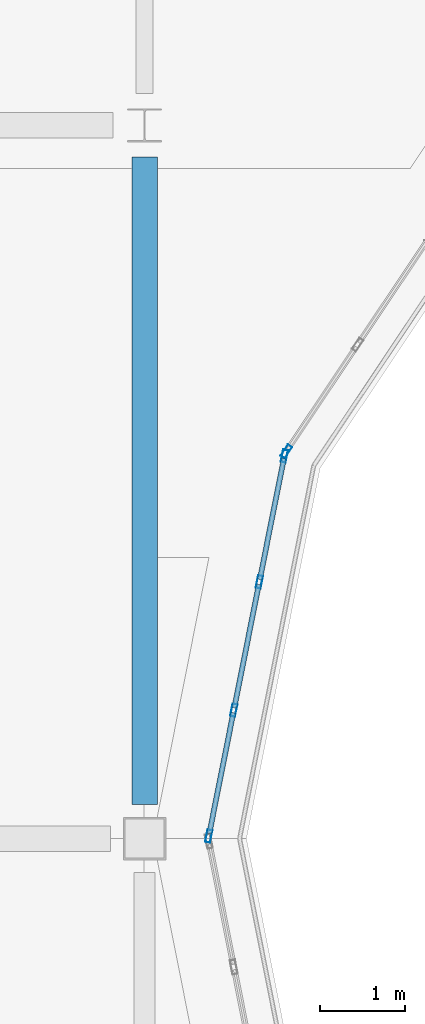
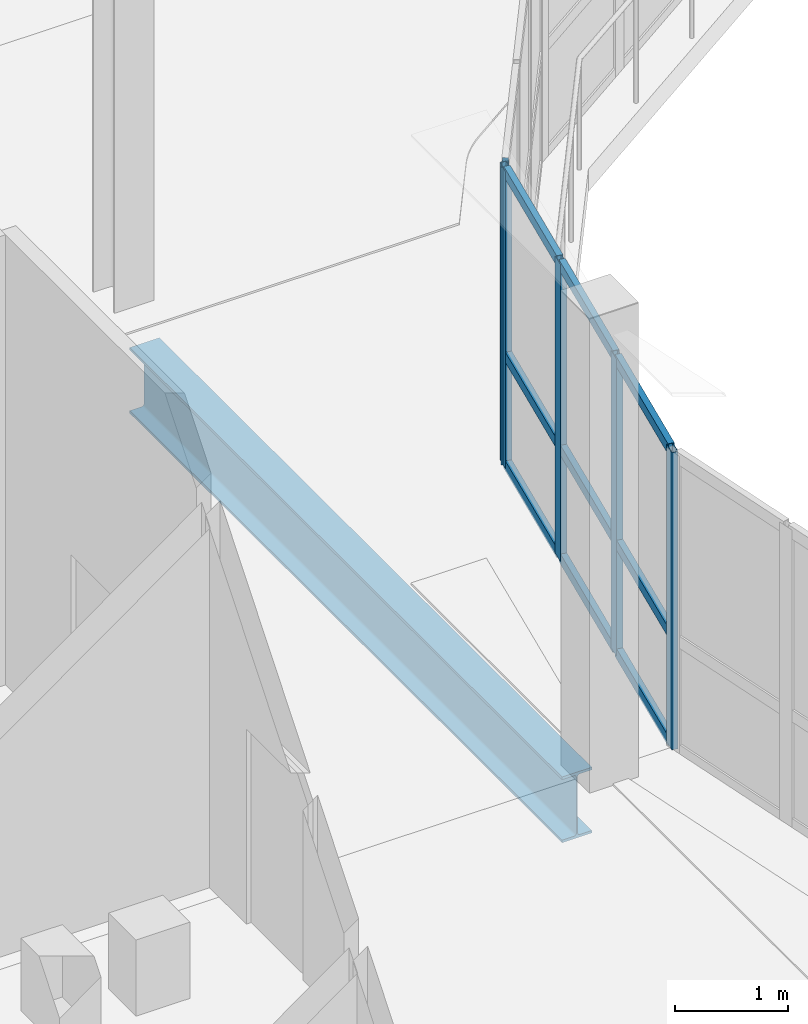
# One storey, part 19 of 104: 14 members, 1 beam, 2 elements without a shape of their own.
"""IFC4 building model written with IfcOpenShell, lengths in metres."""

from ifc_helpers import new_model, si_unit, direction, frame, origin, origin_2d, place, context, subcontext, project, spatial, hollow_rectangle, i_section, extrude, material, layer, layer_set, material_profile, profile_set, type_object, element, aggregate, save


model = new_model("IFC4")

# Units and contexts
model_context = context("Model", 3, precision=1e-05, world=origin(), true_north=direction((0.0, 1.0)))
body_context = subcontext(model_context, "Body", "Model", "MODEL_VIEW")
ifc_project = project(units=[si_unit("LENGTHUNIT", "METRE"), si_unit("AREAUNIT", "SQUARE_METRE"), si_unit("VOLUMEUNIT", "CUBIC_METRE"), si_unit("PLANEANGLEUNIT", "RADIAN"), si_unit("MASSUNIT", "GRAM", prefix="KILO"), si_unit("THERMODYNAMICTEMPERATUREUNIT", "KELVIN")], contexts=[model_context])

# Site, building, storey
site_placement = place(None, origin())
site = spatial("IfcSite", under=ifc_project, at=site_placement, CompositionType="ELEMENT")
building_placement = place(site_placement, origin())
building = spatial("IfcBuilding", under=site, at=building_placement, Name="Lustrewick Department Store", CompositionType="ELEMENT")
storey_placement = place(building_placement, frame((0.0, 0.0, 11.39990234375)))
storey = spatial("IfcBuildingStorey", under=building, at=storey_placement, Name="L03", CompositionType="ELEMENT", Elevation=11.39990234375)

# Curtain wall, member
ifc_material_1 = material(Name="Thermally broken aluminium 6063-T5", Category="aluminium")
ifc_layer_1 = layer(ifc_material_1, 0.159912109375, Name="Thermally broken aluminium 6063-T5")
ifc_layer_set_1 = layer_set([ifc_layer_1], Name="Thermally broken aluminium 6063-T5")
curtain_wall_type_1 = type_object("IfcCurtainWallType", Name="CW17", PredefinedType="NOTDEFINED", material=ifc_layer_set_1)
curtain_wall_1_placement = place(storey_placement, origin())
curtain_wall_1 = element("IfcCurtainWall", 1, at=curtain_wall_1_placement, inside=storey, type_object=curtain_wall_type_1, Name="L03 Atrium Glazed Screen CW17", PredefinedType="NOTDEFINED")
ifc_material_profile_1 = material_profile(ifc_material_1, hollow_rectangle(XDim=0.06005859375, YDim=0.159912109375, WallThickness=0.00390625, at=origin_2d()), Name="ALU-M 60x160x4")
ifc_profile_set_1 = profile_set([ifc_material_profile_1], Name="Thermally broken aluminium 6063-T5")
member_type_1 = type_object("IfcMemberType", Name="CW17-M1", PredefinedType="MULLION", material=ifc_profile_set_1)
member_1_placement = place(storey_placement, frame((18.46875, 71.759765625, 0.0), z_axis=(0.0, 0.0, 1.0), x_axis=(0.831464212799, -0.555578313862, 0.0)))
member_1 = element("IfcMember", 2, at=member_1_placement, type_object=member_type_1, Name="CW17 mullion 4", PredefinedType="MULLION", context=body_context, shape_type="SweptSolid", body=[
    extrude(hollow_rectangle(XDim=0.06005859375, YDim=0.159912109375, WallThickness=0.00390625, at=origin_2d()), origin(), (0.0, 0.0, 1.0), 3.2001953125),
])
aggregate(curtain_wall_1, [member_1])

# Curtain wall, members
ifc_layer_2 = layer(ifc_material_1, 0.14990234375, Name="Thermally broken aluminium 6063-T5")
ifc_layer_set_2 = layer_set([ifc_layer_2], Name="Thermally broken aluminium 6063-T5")
curtain_wall_type_2 = type_object("IfcCurtainWallType", Name="CW18", PredefinedType="NOTDEFINED", material=ifc_layer_set_2)
curtain_wall_2_placement = place(storey_placement, origin())
curtain_wall_2 = element("IfcCurtainWall", 3, at=curtain_wall_2_placement, inside=storey, type_object=curtain_wall_type_2, Name="L03 Atrium Glazed Screen CW18", PredefinedType="NOTDEFINED")
ifc_material_profile_2 = material_profile(ifc_material_1, hollow_rectangle(XDim=0.06005859375, YDim=0.14990234375, WallThickness=0.00341796875, at=origin_2d()), Name="ALU-M 60x150x3.5")
ifc_profile_set_2 = profile_set([ifc_material_profile_2], Name="Thermally broken aluminium 6063-T5")
member_type_2 = type_object("IfcMemberType", Name="CW18-M1", PredefinedType="MULLION", material=ifc_profile_set_2)
member_2_placement = place(storey_placement, frame((18.446044921875, 71.705322265625, 0.0), z_axis=(0.0, 0.0, 1.0), x_axis=(0.980786430993, -0.195084537521, 0.0)))
member_2 = element("IfcMember", 4, at=member_2_placement, type_object=member_type_2, Name="CW18 mullion 1", PredefinedType="MULLION", context=body_context, shape_type="SweptSolid", body=[
    extrude(hollow_rectangle(XDim=0.06005859375, YDim=0.14990234375, WallThickness=0.00341796875, at=origin_2d()), origin(), (0.0, 0.0, 1.0), 3.2001953125),
])
member_3_placement = place(storey_placement, frame((18.1513671875, 70.22314453125, 0.0), z_axis=(0.0, 0.0, 1.0), x_axis=(0.980786430993, -0.195084537521, 0.0)))
member_3 = element("IfcMember", 5, at=member_3_placement, type_object=member_type_2, Name="CW18 mullion 2", PredefinedType="MULLION", context=body_context, shape_type="SweptSolid", body=[
    extrude(hollow_rectangle(XDim=0.06005859375, YDim=0.14990234375, WallThickness=0.00341796875, at=origin_2d()), origin(), (0.0, 0.0, 1.0), 3.2001953125),
])
member_4_placement = place(storey_placement, frame((17.8505859375, 68.711669921875, 0.0), z_axis=(0.0, 0.0, 1.0), x_axis=(0.980786430993, -0.195084537521, 0.0)))
member_4 = element("IfcMember", 6, at=member_4_placement, type_object=member_type_2, Name="CW18 mullion 3", PredefinedType="MULLION", context=body_context, shape_type="SweptSolid", body=[
    extrude(hollow_rectangle(XDim=0.06005859375, YDim=0.14990234375, WallThickness=0.00341796875, at=origin_2d()), origin(), (0.0, 0.0, 1.0), 3.2001953125),
])
member_5_placement = place(storey_placement, frame((17.555908203125, 67.2294921875, 0.0), z_axis=(0.0, 0.0, 1.0), x_axis=(0.980786430993, -0.195084537521, 0.0)))
member_5 = element("IfcMember", 7, at=member_5_placement, type_object=member_type_2, Name="CW18 mullion 4", PredefinedType="MULLION", context=body_context, shape_type="SweptSolid", body=[
    extrude(hollow_rectangle(XDim=0.06005859375, YDim=0.14990234375, WallThickness=0.00341796875, at=origin_2d()), origin(), (0.0, 0.0, 1.0), 3.2001953125),
])
ifc_material_profile_3 = material_profile(ifc_material_1, hollow_rectangle(XDim=0.06005859375, YDim=0.110107421875, WallThickness=0.0029296875, at=origin_2d()), Name="ALU-T 60x110x3")
ifc_profile_set_3 = profile_set([ifc_material_profile_3], Name="Thermally broken aluminium 6063-T5")
member_type_3 = type_object("IfcMemberType", Name="CW18-T1", PredefinedType="USERDEFINED", material=ifc_profile_set_3)
member_6_placement = place(storey_placement, frame((18.440185546875, 71.676025390625, 0.030029296875), z_axis=(-0.194983657525, -0.98080649126, 0.0), x_axis=(0.98080649126, -0.194983657525, 0.0)))
member_6 = element("IfcMember", 8, at=member_6_placement, type_object=member_type_3, Name="CW18 transom 1.1", ObjectType="TRANSOM", PredefinedType="USERDEFINED", context=body_context, shape_type="SweptSolid", body=[
    extrude(hollow_rectangle(XDim=0.06005859375, YDim=0.110107421875, WallThickness=0.0029296875, at=origin_2d()), origin(), (0.0, 0.0, 1.0), 1.451171875),
])
member_7_placement = place(storey_placement, frame((18.440185546875, 71.676025390625, 1.2001953125), z_axis=(-0.194983657525, -0.98080649126, 0.0), x_axis=(0.98080649126, -0.194983657525, 0.0)))
member_7 = element("IfcMember", 9, at=member_7_placement, type_object=member_type_3, Name="CW18 transom 1.2", ObjectType="TRANSOM", PredefinedType="USERDEFINED", context=body_context, shape_type="SweptSolid", body=[
    extrude(hollow_rectangle(XDim=0.06005859375, YDim=0.110107421875, WallThickness=0.0029296875, at=origin_2d()), origin(), (0.0, 0.0, 1.0), 1.451171875),
])
member_8_placement = place(storey_placement, frame((18.440185546875, 71.676025390625, 3.170166015625), z_axis=(-0.194983657525, -0.98080649126, 0.0), x_axis=(0.98080649126, -0.194983657525, 0.0)))
member_8 = element("IfcMember", 10, at=member_8_placement, type_object=member_type_3, Name="CW18 transom 1.3", ObjectType="TRANSOM", PredefinedType="USERDEFINED", context=body_context, shape_type="SweptSolid", body=[
    extrude(hollow_rectangle(XDim=0.06005859375, YDim=0.110107421875, WallThickness=0.0029296875, at=origin_2d()), origin(), (0.0, 0.0, 1.0), 1.451171875),
])
member_9_placement = place(storey_placement, frame((18.1455078125, 70.19384765625, 0.030029296875), z_axis=(-0.195133523177, -0.980776686169, 0.0), x_axis=(0.980776686169, -0.195133523177, 0.0)))
member_9 = element("IfcMember", 11, at=member_9_placement, type_object=member_type_3, Name="CW18 transom 2.1", ObjectType="TRANSOM", PredefinedType="USERDEFINED", context=body_context, shape_type="SweptSolid", body=[
    extrude(hollow_rectangle(XDim=0.06005859375, YDim=0.110107421875, WallThickness=0.0029296875, at=origin_2d()), origin(), (0.0, 0.0, 1.0), 1.4814453125),
])
member_10_placement = place(storey_placement, frame((18.1455078125, 70.19384765625, 1.2001953125), z_axis=(-0.195133523177, -0.980776686169, 0.0), x_axis=(0.980776686169, -0.195133523177, 0.0)))
member_10 = element("IfcMember", 12, at=member_10_placement, type_object=member_type_3, Name="CW18 transom 2.2", ObjectType="TRANSOM", PredefinedType="USERDEFINED", context=body_context, shape_type="SweptSolid", body=[
    extrude(hollow_rectangle(XDim=0.06005859375, YDim=0.110107421875, WallThickness=0.0029296875, at=origin_2d()), origin(), (0.0, 0.0, 1.0), 1.4814453125),
])
member_11_placement = place(storey_placement, frame((18.1455078125, 70.19384765625, 3.170166015625), z_axis=(-0.195133523177, -0.980776686169, 0.0), x_axis=(0.980776686169, -0.195133523177, 0.0)))
member_11 = element("IfcMember", 13, at=member_11_placement, type_object=member_type_3, Name="CW18 transom 2.3", ObjectType="TRANSOM", PredefinedType="USERDEFINED", context=body_context, shape_type="SweptSolid", body=[
    extrude(hollow_rectangle(XDim=0.06005859375, YDim=0.110107421875, WallThickness=0.0029296875, at=origin_2d()), origin(), (0.0, 0.0, 1.0), 1.4814453125),
])
member_12_placement = place(storey_placement, frame((17.8447265625, 68.68212890625, 0.030029296875), z_axis=(-0.194983657525, -0.98080649126, 0.0), x_axis=(0.98080649126, -0.194983657525, 0.0)))
member_12 = element("IfcMember", 14, at=member_12_placement, type_object=member_type_3, Name="CW18 transom 3.1", ObjectType="TRANSOM", PredefinedType="USERDEFINED", context=body_context, shape_type="SweptSolid", body=[
    extrude(hollow_rectangle(XDim=0.06005859375, YDim=0.110107421875, WallThickness=0.0029296875, at=origin_2d()), origin(), (0.0, 0.0, 1.0), 1.451171875),
])
member_13_placement = place(storey_placement, frame((17.8447265625, 68.68212890625, 1.2001953125), z_axis=(-0.194983657525, -0.98080649126, 0.0), x_axis=(0.98080649126, -0.194983657525, 0.0)))
member_13 = element("IfcMember", 15, at=member_13_placement, type_object=member_type_3, Name="CW18 transom 3.2", ObjectType="TRANSOM", PredefinedType="USERDEFINED", context=body_context, shape_type="SweptSolid", body=[
    extrude(hollow_rectangle(XDim=0.06005859375, YDim=0.110107421875, WallThickness=0.0029296875, at=origin_2d()), origin(), (0.0, 0.0, 1.0), 1.451171875),
])
member_14_placement = place(storey_placement, frame((17.8447265625, 68.68212890625, 3.170166015625), z_axis=(-0.194983657525, -0.98080649126, 0.0), x_axis=(0.98080649126, -0.194983657525, 0.0)))
member_14 = element("IfcMember", 16, at=member_14_placement, type_object=member_type_3, Name="CW18 transom 3.3", ObjectType="TRANSOM", PredefinedType="USERDEFINED", context=body_context, shape_type="SweptSolid", body=[
    extrude(hollow_rectangle(XDim=0.06005859375, YDim=0.110107421875, WallThickness=0.0029296875, at=origin_2d()), origin(), (0.0, 0.0, 1.0), 1.451171875),
])
aggregate(curtain_wall_2, [member_2, member_3, member_4, member_5, member_6, member_7, member_8, member_9, member_10, member_11, member_12, member_13, member_14])

# Beam
ifc_material_2 = material(Name="Structural steel Q355C", Category="steel")
ifc_material_profile_4 = material_profile(ifc_material_2, i_section(OverallWidth=0.302001953125, OverallDepth=0.7080078125, WebThickness=0.014892578125, FlangeThickness=0.028076171875, FilletRadius=0.02001953125, at=origin_2d()), Name="HN 708x302x15x28")
ifc_profile_set_4 = profile_set([ifc_material_profile_4], Name="Structural steel Q355C")
beam_type = type_object("IfcBeamType", Name="G07", PredefinedType="BEAM", material=ifc_profile_set_4)
beam_placement = place(storey_placement, frame((16.800048828125, 67.60009765625, -0.60888671875), z_axis=(0.0, 1.0, 0.0), x_axis=(-1.0, 0.0, 0.0)))
element("IfcBeam", 17, at=beam_placement, inside=storey, type_object=beam_type, Name="L03 V1 Girder G07", PredefinedType="BEAM", context=body_context, shape_type="SweptSolid", body=[
    extrude(i_section(OverallWidth=0.302001953125, OverallDepth=0.7080078125, WebThickness=0.014892578125, FlangeThickness=0.028076171875, FilletRadius=0.02001953125, at=origin_2d()), origin(), (0.0, 0.0, 1.0), 7.625),
])

save(model, "model.ifc")
